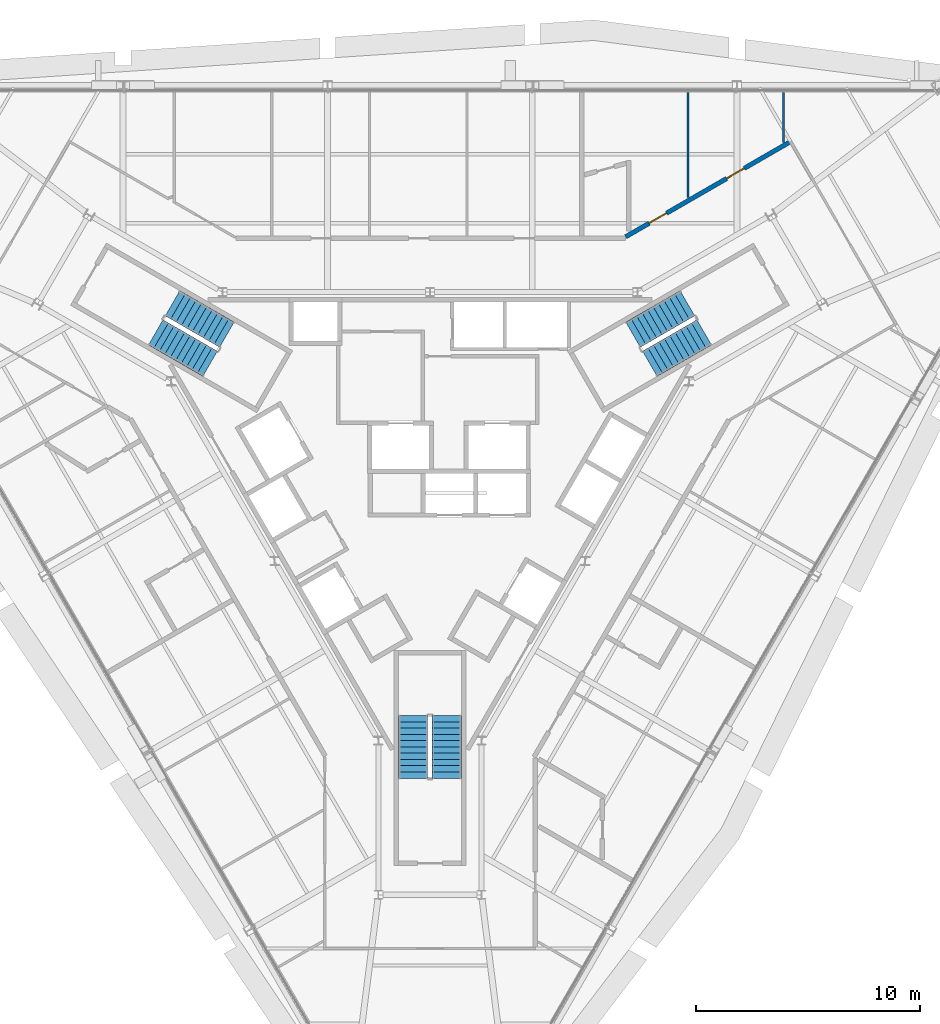
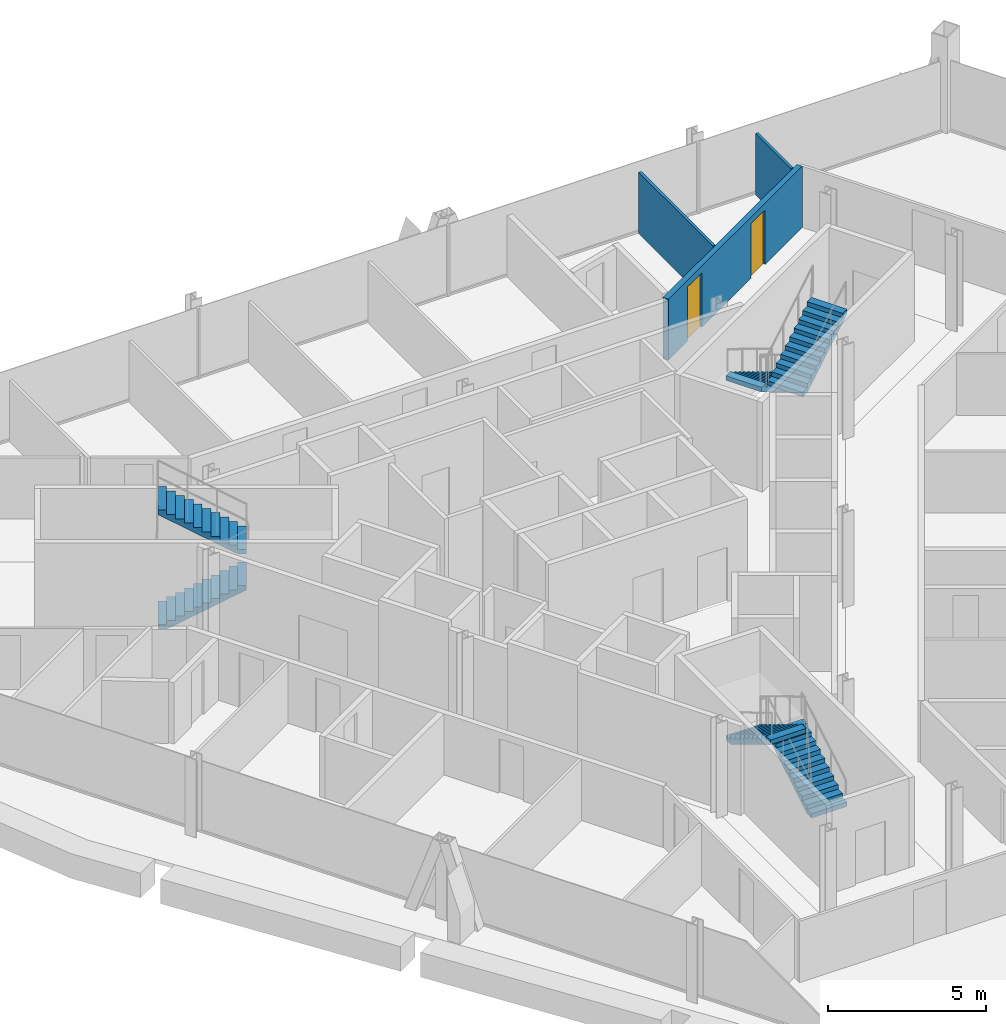
# One storey, part 13 of 15: 6 stair flights, 3 walls, 2 doors, 2 openings, 3 elements without a shape of their own.
"""IFC4 building model written with IfcOpenShell, lengths in metres."""

from ifc_helpers import new_model, si_unit, direction, frame, frame_2d, origin, place, context, subcontext, project, spatial, polyline, rectangle, outline, extrude, material, layer, layer_set, type_object, element, fill, aggregate, save


model = new_model("IFC4")

# Units and contexts
model_context = context("Model", 3, precision=1e-05, world=origin(), true_north=direction((0.0, 1.0)))
body_context = subcontext(model_context, "Body", "Model", "MODEL_VIEW")
ifc_project = project(units=[si_unit("LENGTHUNIT", "METRE"), si_unit("AREAUNIT", "SQUARE_METRE"), si_unit("VOLUMEUNIT", "CUBIC_METRE"), si_unit("PLANEANGLEUNIT", "RADIAN"), si_unit("MASSUNIT", "GRAM", prefix="KILO")], contexts=[model_context])

# Site, building, storey
site_placement = place(None, origin())
site = spatial("IfcSite", under=ifc_project, at=site_placement, CompositionType="ELEMENT")
building_placement = place(site_placement, origin())
building = spatial("IfcBuilding", under=site, at=building_placement, Name="Verrane Prism Tower", CompositionType="ELEMENT")
storey_placement = place(building_placement, frame((0.0, 0.0, 254.5)))
storey = spatial("IfcBuildingStorey", under=building, at=storey_placement, Name="L64", CompositionType="ELEMENT", Elevation=254.5)

# Walls
ifc_material_1 = material(Name="Gypsum board partition", Category="other")
ifc_layer_1 = layer(ifc_material_1, 0.10009765625)
ifc_layer_set_1 = layer_set([ifc_layer_1], Name="PW-100 room partition")
wall_type_1 = type_object("IfcWallType", Name="PW-100 room partition", PredefinedType="PARTITIONING", material=ifc_layer_set_1)
wall_1_placement = place(storey_placement, frame((11.512939453125, 12.21533203125, 0.0), z_axis=(0.0, 0.0, 1.0), x_axis=(0.0, 1.0, 0.0)))
element("IfcWall", 1, at=wall_1_placement, inside=storey, type_object=wall_type_1, Name="Room partition 042", PredefinedType="PARTITIONING", context=body_context, shape_type="SweptSolid", body=[
    extrude(rectangle(XDim=4.690673828125, YDim=0.10009765625, at=frame_2d((2.34521484375, 0.0))), origin(), (0.0, 0.0, 1.0), 2.362060546875),
])
wall_2_placement = place(storey_placement, frame((15.777099609375, 14.67724609375, 0.0), z_axis=(0.0, 0.0, 1.0), x_axis=(0.0, 1.0, 0.0)))
element("IfcWall", 2, at=wall_2_placement, inside=storey, type_object=wall_type_1, Name="Room partition 046", PredefinedType="PARTITIONING", context=body_context, shape_type="SweptSolid", body=[
    extrude(rectangle(XDim=2.228759765625, YDim=0.10009765625, at=frame_2d((1.1142578125, 0.0))), origin(), (0.0, 0.0, 1.0), 2.362060546875),
])

# Wall, openings, doors
ifc_material_2 = material(Name="Gypsum board partition", Category="other")
ifc_layer_2 = layer(ifc_material_2, 0.199951171875)
ifc_layer_set_2 = layer_set([ifc_layer_2], Name="PW-200 plumbing wall")
wall_type_2 = type_object("IfcWallType", Name="PW-200 plumbing wall", PredefinedType="PARTITIONING", material=ifc_layer_set_2)
wall_3_placement = place(storey_placement, frame((8.73388671875, 10.467529296875, 0.0), z_axis=(0.0, 0.0, 1.0), x_axis=(0.86608074249, 0.499904138298, 0.0)))
wall_3 = element("IfcWall", 3, at=wall_3_placement, inside=storey, type_object=wall_type_2, Name="Plumbing wall 038", PredefinedType="PARTITIONING", context=body_context, shape_type="SweptSolid", body=[
    extrude(rectangle(XDim=8.452880859375, YDim=0.199951171875, at=frame_2d((4.2265625, 0.0))), origin(), (0.0, 0.0, 1.0), 2.362060546875),
])
opening_1_placement = place(wall_3_placement, frame((5.208984375, 0.0, 0.0)))
opening_1 = element("IfcOpeningElement", 4, at=opening_1_placement, cuts=wall_3, Name="Opening D62010", PredefinedType="OPENING", context=body_context, shape_type="SweptSolid", body=[
    extrude(rectangle(XDim=0.89990234375, YDim=2.10009765625, at=frame_2d((0.449951171875, 1.050048828125))), frame((0.0, 0.10986328125, 0.0), z_axis=(0.0, -1.0, 0.0), x_axis=(1.0, 0.0, 0.0)), (0.0, 0.0, 1.0), 0.219970703125),
])
opening_2_placement = place(wall_3_placement, frame((1.212890625, 0.0, 0.0)))
opening_2 = element("IfcOpeningElement", 5, at=opening_2_placement, cuts=wall_3, Name="Opening D62011", PredefinedType="OPENING", context=body_context, shape_type="SweptSolid", body=[
    extrude(rectangle(XDim=0.89990234375, YDim=2.10009765625, at=frame_2d((0.449951171875, 1.050048828125))), frame((0.0, 0.10986328125, 0.0), z_axis=(0.0, -1.0, 0.0), x_axis=(1.0, 0.0, 0.0)), (0.0, 0.0, 1.0), 0.219970703125),
])
ifc_material_3 = material(Name="Timber veneered door leaf", Category="wood")
door_type_1 = type_object("IfcDoorType", Name="DR-900x2100 single leaf inner", OperationType="NOTDEFINED", PredefinedType="DOOR", material=ifc_material_3)
door_1_placement = place(opening_2_placement, origin())
door_1 = element("IfcDoor", 6, at=door_1_placement, inside=storey, type_object=door_type_1, Name="Bedroom door", OperationType="SINGLE_SWING_LEFT", OverallHeight=2.10009765625, OverallWidth=0.89990234375, PredefinedType="DOOR", context=body_context, shape_type="SweptSolid", body=[
    extrude(rectangle(XDim=0.89990234375, YDim=2.10009765625, at=frame_2d((0.449951171875, 1.050048828125))), frame((0.0, 0.02490234375, 0.0), z_axis=(0.0, -1.0, 0.0), x_axis=(1.0, 0.0, 0.0)), (0.0, 0.0, 1.0), 0.050048828125),
])
fill(opening_2, door_1)
ifc_material_4 = material(Name="Timber veneered door leaf", Category="wood")
door_type_2 = type_object("IfcDoorType", Name="DR-900x2100 single leaf unit", OperationType="NOTDEFINED", PredefinedType="DOOR", material=ifc_material_4)
door_2_placement = place(opening_1_placement, origin())
door_2 = element("IfcDoor", 7, at=door_2_placement, inside=storey, type_object=door_type_2, Name="Kitchen door", OperationType="SINGLE_SWING_RIGHT", OverallHeight=2.10009765625, OverallWidth=0.89990234375, PredefinedType="DOOR", context=body_context, shape_type="SweptSolid", body=[
    extrude(rectangle(XDim=0.89990234375, YDim=2.10009765625, at=frame_2d((0.449951171875, 1.050048828125))), frame((0.0, 0.02490234375, 0.0), z_axis=(0.0, -1.0, 0.0), x_axis=(1.0, 0.0, 0.0)), (0.0, 0.0, 1.0), 0.050048828125),
])
fill(opening_1, door_2)

# Stair, stair flights
ifc_material_5 = material(Name="Concrete C40/50", Category="concrete")
stair_type = type_object("IfcStairType", Name="Exit stair 1300 dog-leg precast concrete C40/50", PredefinedType="HALF_TURN_STAIR", material=ifc_material_5)
stair_1_placement = place(storey_placement, origin())
stair_1 = element("IfcStair", 8, at=stair_1_placement, inside=storey, type_object=stair_type, Name="Stair 1 L64", PredefinedType="HALF_TURN_STAIR")
ifc_material_6 = material(Name="Concrete C40/50", Category="concrete")
stair_flight_type = type_object("IfcStairFlightType", Name="Stair flight 1300 precast concrete C40/50", PredefinedType="STRAIGHT", material=ifc_material_6)
stair_flight_1_placement = place(storey_placement, frame((11.489501953125, 7.49951171875, 0.0), z_axis=(0.0, 0.0, 1.0), x_axis=(-0.866025403784, -0.5, 0.0)))
stair_flight_1 = element("IfcStairFlight", 9, at=stair_flight_1_placement, type_object=stair_flight_type, Name="Stair 1 flight 1", NumberOfRisers=11, NumberOfTreads=10, PredefinedType="STRAIGHT", RiserHeight=0.168181818, TreadLength=0.28, context=body_context, shape_type="SweptSolid", body=[
    extrude(outline(polyline([(0.0, 0.0), (0.0, 0.168212890625), (0.280029296875, 0.168212890625), (0.280029296875, 0.33642578125), (0.56005859375, 0.33642578125), (0.56005859375, 0.504638671875), (0.840087890625, 0.504638671875), (0.840087890625, 0.672607421875), (1.1201171875, 0.672607421875), (1.1201171875, 0.8408203125), (1.39990234375, 0.8408203125), (1.39990234375, 1.009033203125), (1.679931640625, 1.009033203125), (1.679931640625, 1.17724609375), (1.9599609375, 1.17724609375), (1.9599609375, 1.345458984375), (2.239990234375, 1.345458984375), (2.239990234375, 1.513671875), (2.52001953125, 1.513671875), (2.52001953125, 1.681884765625), (2.800048828125, 1.681884765625), (2.800048828125, 1.85009765625), (2.800048828125, 1.5068359375), (0.291015625, 0.0), (0.0, 0.0)])), frame((0.0, 0.64990234375, 0.0), z_axis=(0.0, -1.0, 0.0), x_axis=(1.0, 0.0, 0.0)), (0.0, 0.0, 1.0), 1.300048828125),
])
stair_flight_2_placement = place(storey_placement, frame((9.814697265625, 4.800537109375, 1.85009765625), z_axis=(0.0, 0.0, 1.0), x_axis=(0.866025403784, 0.5, 0.0)))
stair_flight_2 = element("IfcStairFlight", 10, at=stair_flight_2_placement, type_object=stair_flight_type, Name="Stair 1 flight 2", NumberOfRisers=11, NumberOfTreads=10, PredefinedType="STRAIGHT", RiserHeight=0.168181818, TreadLength=0.28, context=body_context, shape_type="SweptSolid", body=[
    extrude(outline(polyline([(0.0, 0.0), (0.0, 0.168212890625), (0.280029296875, 0.168212890625), (0.280029296875, 0.33642578125), (0.56005859375, 0.33642578125), (0.56005859375, 0.504638671875), (0.840087890625, 0.504638671875), (0.840087890625, 0.672607421875), (1.1201171875, 0.672607421875), (1.1201171875, 0.8408203125), (1.39990234375, 0.8408203125), (1.39990234375, 1.009033203125), (1.679931640625, 1.009033203125), (1.679931640625, 1.17724609375), (1.9599609375, 1.17724609375), (1.9599609375, 1.345458984375), (2.239990234375, 1.345458984375), (2.239990234375, 1.513671875), (2.52001953125, 1.513671875), (2.52001953125, 1.681884765625), (2.800048828125, 1.681884765625), (2.800048828125, 1.85009765625), (2.800048828125, 1.5068359375), (0.291015625, 0.0), (0.0, 0.0)])), frame((0.0, 0.64990234375, 0.0), z_axis=(0.0, -1.0, 0.0), x_axis=(1.0, 0.0, 0.0)), (0.0, 0.0, 1.0), 1.300048828125),
])
aggregate(stair_1, [stair_flight_1, stair_flight_2])

stair_2_placement = place(storey_placement, origin())
stair_2 = element("IfcStair", 11, at=stair_2_placement, inside=storey, type_object=stair_type, Name="Stair 2 L64", PredefinedType="HALF_TURN_STAIR")
stair_flight_3_placement = place(storey_placement, frame((-12.239501953125, 6.200439453125, 0.0), z_axis=(0.0, 0.0, 1.0), x_axis=(0.866025403784, -0.5, 0.0)))
stair_flight_3 = element("IfcStairFlight", 12, at=stair_flight_3_placement, type_object=stair_flight_type, Name="Stair 2 flight 1", NumberOfRisers=11, NumberOfTreads=10, PredefinedType="STRAIGHT", RiserHeight=0.168181818, TreadLength=0.28, context=body_context, shape_type="SweptSolid", body=[
    extrude(outline(polyline([(0.0, 0.0), (0.0, 0.168212890625), (0.280029296875, 0.168212890625), (0.280029296875, 0.33642578125), (0.56005859375, 0.33642578125), (0.56005859375, 0.504638671875), (0.840087890625, 0.504638671875), (0.840087890625, 0.672607421875), (1.1201171875, 0.672607421875), (1.1201171875, 0.8408203125), (1.39990234375, 0.8408203125), (1.39990234375, 1.009033203125), (1.679931640625, 1.009033203125), (1.679931640625, 1.17724609375), (1.9599609375, 1.17724609375), (1.9599609375, 1.345458984375), (2.239990234375, 1.345458984375), (2.239990234375, 1.513671875), (2.52001953125, 1.513671875), (2.52001953125, 1.681884765625), (2.800048828125, 1.681884765625), (2.800048828125, 1.85009765625), (2.800048828125, 1.5068359375), (0.291015625, 0.0), (0.0, 0.0)])), frame((0.0, 0.64990234375, 0.0), z_axis=(0.0, -1.0, 0.0), x_axis=(1.0, 0.0, 0.0)), (0.0, 0.0, 1.0), 1.300048828125),
])
stair_flight_4_placement = place(storey_placement, frame((-9.064697265625, 6.099609375, 1.85009765625), z_axis=(0.0, 0.0, 1.0), x_axis=(-0.866025403784, 0.5, 0.0)))
stair_flight_4 = element("IfcStairFlight", 13, at=stair_flight_4_placement, type_object=stair_flight_type, Name="Stair 2 flight 2", NumberOfRisers=11, NumberOfTreads=10, PredefinedType="STRAIGHT", RiserHeight=0.168181818, TreadLength=0.28, context=body_context, shape_type="SweptSolid", body=[
    extrude(outline(polyline([(0.0, 0.0), (0.0, 0.168212890625), (0.280029296875, 0.168212890625), (0.280029296875, 0.33642578125), (0.56005859375, 0.33642578125), (0.56005859375, 0.504638671875), (0.840087890625, 0.504638671875), (0.840087890625, 0.672607421875), (1.1201171875, 0.672607421875), (1.1201171875, 0.8408203125), (1.39990234375, 0.8408203125), (1.39990234375, 1.009033203125), (1.679931640625, 1.009033203125), (1.679931640625, 1.17724609375), (1.9599609375, 1.17724609375), (1.9599609375, 1.345458984375), (2.239990234375, 1.345458984375), (2.239990234375, 1.513671875), (2.52001953125, 1.513671875), (2.52001953125, 1.681884765625), (2.800048828125, 1.681884765625), (2.800048828125, 1.85009765625), (2.800048828125, 1.5068359375), (0.291015625, 0.0), (0.0, 0.0)])), frame((0.0, 0.64990234375, 0.0), z_axis=(0.0, -1.0, 0.0), x_axis=(1.0, 0.0, 0.0)), (0.0, 0.0, 1.0), 1.300048828125),
])
aggregate(stair_2, [stair_flight_3, stair_flight_4])

stair_3_placement = place(storey_placement, origin())
stair_3 = element("IfcStair", 14, at=stair_3_placement, inside=storey, type_object=stair_type, Name="Stair 3 L64", PredefinedType="HALF_TURN_STAIR")
stair_flight_5_placement = place(storey_placement, frame((0.75, -13.699951171875, 0.0), z_axis=(0.0, 0.0, 1.0), x_axis=(0.0, 1.0, 0.0)))
stair_flight_5 = element("IfcStairFlight", 15, at=stair_flight_5_placement, type_object=stair_flight_type, Name="Stair 3 flight 1", NumberOfRisers=11, NumberOfTreads=10, PredefinedType="STRAIGHT", RiserHeight=0.168181818, TreadLength=0.28, context=body_context, shape_type="SweptSolid", body=[
    extrude(outline(polyline([(0.0, 0.0), (0.0, 0.168212890625), (0.280029296875, 0.168212890625), (0.280029296875, 0.33642578125), (0.56005859375, 0.33642578125), (0.56005859375, 0.504638671875), (0.840087890625, 0.504638671875), (0.840087890625, 0.672607421875), (1.1201171875, 0.672607421875), (1.1201171875, 0.8408203125), (1.39990234375, 0.8408203125), (1.39990234375, 1.009033203125), (1.679931640625, 1.009033203125), (1.679931640625, 1.17724609375), (1.9599609375, 1.17724609375), (1.9599609375, 1.345458984375), (2.239990234375, 1.345458984375), (2.239990234375, 1.513671875), (2.52001953125, 1.513671875), (2.52001953125, 1.681884765625), (2.800048828125, 1.681884765625), (2.800048828125, 1.85009765625), (2.800048828125, 1.5068359375), (0.291015625, 0.0), (0.0, 0.0)])), frame((0.0, 0.64990234375, 0.0), z_axis=(0.0, -1.0, 0.0), x_axis=(1.0, 0.0, 0.0)), (0.0, 0.0, 1.0), 1.300048828125),
])
stair_flight_6_placement = place(storey_placement, frame((-0.75, -10.89990234375, 1.85009765625), z_axis=(0.0, 0.0, 1.0), x_axis=(0.0, -1.0, 0.0)))
stair_flight_6 = element("IfcStairFlight", 16, at=stair_flight_6_placement, type_object=stair_flight_type, Name="Stair 3 flight 2", NumberOfRisers=11, NumberOfTreads=10, PredefinedType="STRAIGHT", RiserHeight=0.168181818, TreadLength=0.28, context=body_context, shape_type="SweptSolid", body=[
    extrude(outline(polyline([(0.0, 0.0), (0.0, 0.168212890625), (0.280029296875, 0.168212890625), (0.280029296875, 0.33642578125), (0.56005859375, 0.33642578125), (0.56005859375, 0.504638671875), (0.840087890625, 0.504638671875), (0.840087890625, 0.672607421875), (1.1201171875, 0.672607421875), (1.1201171875, 0.8408203125), (1.39990234375, 0.8408203125), (1.39990234375, 1.009033203125), (1.679931640625, 1.009033203125), (1.679931640625, 1.17724609375), (1.9599609375, 1.17724609375), (1.9599609375, 1.345458984375), (2.239990234375, 1.345458984375), (2.239990234375, 1.513671875), (2.52001953125, 1.513671875), (2.52001953125, 1.681884765625), (2.800048828125, 1.681884765625), (2.800048828125, 1.85009765625), (2.800048828125, 1.5068359375), (0.291015625, 0.0), (0.0, 0.0)])), frame((0.0, 0.64990234375, 0.0), z_axis=(0.0, -1.0, 0.0), x_axis=(1.0, 0.0, 0.0)), (0.0, 0.0, 1.0), 1.300048828125),
])
aggregate(stair_3, [stair_flight_5, stair_flight_6])

save(model, "model.ifc")
